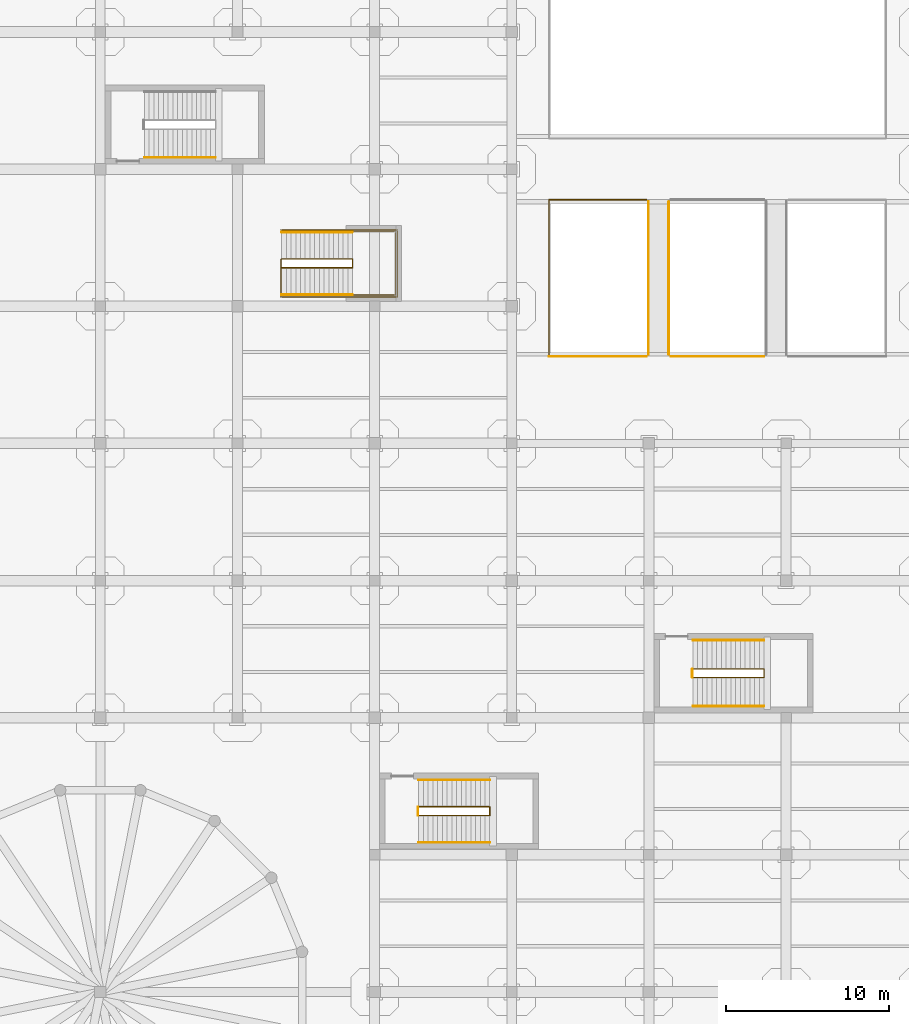
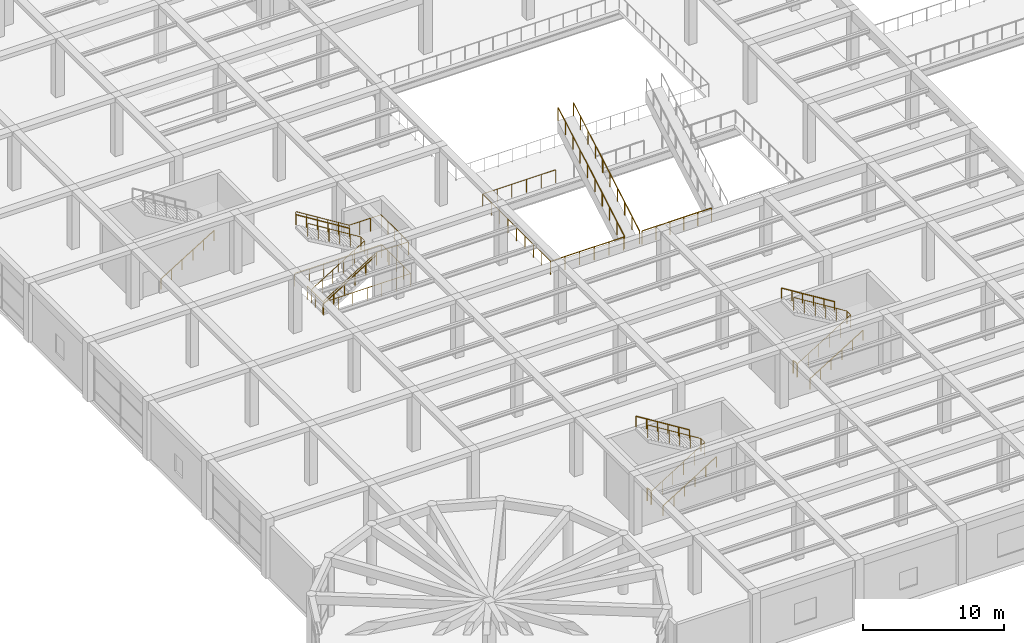
# One storey, part 85 of 96: 19 railings.
"""IFC4 building model written with IfcOpenShell, lengths in metres."""

from ifc_helpers import new_model, si_unit, direction, frame, origin, origin_2d, place, context, subcontext, project, spatial, circle, extrude, material, type_object, element, save


model = new_model("IFC4")

# Units and contexts
model_context = context("Model", 3, precision=1e-05, world=origin(), true_north=direction((0.0, 1.0)))
body_context = subcontext(model_context, "Body", "Model", "MODEL_VIEW")
ifc_project = project(units=[si_unit("LENGTHUNIT", "METRE"), si_unit("AREAUNIT", "SQUARE_METRE"), si_unit("VOLUMEUNIT", "CUBIC_METRE"), si_unit("PLANEANGLEUNIT", "RADIAN"), si_unit("MASSUNIT", "GRAM", prefix="KILO")], contexts=[model_context])

# Site, building, storey
site_placement = place(None, origin())
site = spatial("IfcSite", under=ifc_project, at=site_placement, CompositionType="ELEMENT")
building_placement = place(site_placement, origin())
building = spatial("IfcBuilding", under=site, at=building_placement, Name="Almacenes y Pasaje Nevantli", CompositionType="ELEMENT")
storey_placement = place(building_placement, frame((0.0, 0.0, 6.0)))
storey = spatial("IfcBuildingStorey", under=building, at=storey_placement, Name="L02", CompositionType="ELEMENT", Elevation=6.0)

# Railings
ifc_material_1 = material(Name="Brushed Stainless Steel and Tempered Safety Glass", Category="steel")
railing_type_1 = type_object("IfcRailingType", Name="RL-GUARD-1100", PredefinedType="BALUSTRADE", material=ifc_material_1)
railing_1_placement = place(storey_placement, frame((27.89990234375, 19.2099609375, 0.0)))
element("IfcRailing", 1, at=railing_1_placement, inside=storey, type_object=railing_type_1, Name="L02 Stair ST-04 Inner Well Guard Balustrade", PredefinedType="BALUSTRADE", context=body_context, shape_type="SweptSolid", body=[
    extrude(circle(Radius=0.02392578125, at=origin_2d()), frame((0.025390625, 0.0, 1.1416015625), z_axis=(0.849649743971, 0.0, 0.527347430608), x_axis=(0.0, 1.0, 0.0)), (0.0, 0.0, 1.0), 5.059814453125),
    extrude(circle(Radius=0.02392578125, at=origin_2d()), frame((4.35009765625, 0.030029296875, 3.82568359375), z_axis=(0.0, 1.0, 0.0), x_axis=(-1.0, 0.0, 0.0)), (0.0, 0.0, 1.0), 0.469970703125),
    extrude(circle(Radius=0.02392578125, at=origin_2d()), frame((4.32470703125, 0.530029296875, 3.841552734375), z_axis=(-0.849649743971, 0.0, 0.527347430608), x_axis=(0.0, -1.0, 0.0)), (0.0, 0.0, 1.0), 5.059814453125),
    extrude(circle(Radius=0.02099609375, at=origin_2d()), origin(), (0.0, 0.0, 1.0), 1.096923828125),
    extrude(circle(Radius=0.02099609375, at=origin_2d()), frame((0.8701171875, 0.0, 0.5400390625)), (0.0, 0.0, 1.0), 1.096923828125),
    extrude(circle(Radius=0.02099609375, at=origin_2d()), frame((1.739990234375, 0.0, 1.080078125)), (0.0, 0.0, 1.0), 1.096923828125),
    extrude(circle(Radius=0.02099609375, at=origin_2d()), frame((2.610107421875, 0.0, 1.619873046875)), (0.0, 0.0, 1.0), 1.096923828125),
    extrude(circle(Radius=0.02099609375, at=origin_2d()), frame((3.47998046875, 0.0, 2.159912109375)), (0.0, 0.0, 1.0), 1.096923828125),
    extrude(circle(Radius=0.02099609375, at=origin_2d()), frame((4.35009765625, 0.0, 2.699951171875)), (0.0, 0.0, 1.0), 1.096923828125),
    extrude(circle(Radius=0.02099609375, at=origin_2d()), frame((4.35009765625, 0.530029296875, 2.699951171875)), (0.0, 0.0, 1.0), 1.096923828125),
    extrude(circle(Radius=0.02099609375, at=origin_2d()), frame((3.47998046875, 0.530029296875, 3.239990234375)), (0.0, 0.0, 1.0), 1.096923828125),
    extrude(circle(Radius=0.02099609375, at=origin_2d()), frame((2.610107421875, 0.530029296875, 3.780029296875)), (0.0, 0.0, 1.0), 1.096923828125),
    extrude(circle(Radius=0.02099609375, at=origin_2d()), frame((1.739990234375, 0.530029296875, 4.31982421875)), (0.0, 0.0, 1.0), 1.096923828125),
    extrude(circle(Radius=0.02099609375, at=origin_2d()), frame((0.8701171875, 0.530029296875, 4.85986328125)), (0.0, 0.0, 1.0), 1.096923828125),
    extrude(circle(Radius=0.02099609375, at=origin_2d()), frame((0.0, 0.530029296875, 5.39990234375)), (0.0, 0.0, 1.0), 1.096923828125),
])
railing_2_placement = place(storey_placement, frame((27.860107421875, 19.2099609375, 0.0)))
element("IfcRailing", 2, at=railing_2_placement, inside=storey, type_object=railing_type_1, Name="L02 Stair ST-04 Landing Well Slot Guard", PredefinedType="BALUSTRADE", context=body_context, shape_type="SweptSolid", body=[
    extrude(circle(Radius=0.02392578125, at=origin_2d()), frame((0.0, 0.030029296875, 1.1259765625), z_axis=(0.0, 1.0, 0.0), x_axis=(-1.0, 0.0, 0.0)), (0.0, 0.0, 1.0), 0.469970703125),
    extrude(circle(Radius=0.02099609375, at=origin_2d()), origin(), (0.0, 0.0, 1.0), 1.096923828125),
    extrude(circle(Radius=0.02099609375, at=origin_2d()), frame((0.0, 0.530029296875, 0.0)), (0.0, 0.0, 1.0), 1.096923828125),
])
railing_3_placement = place(storey_placement, frame((44.699951171875, 27.659912109375, 0.0)))
element("IfcRailing", 3, at=railing_3_placement, inside=storey, type_object=railing_type_1, Name="L02 Stair ST-14 Inner Well Guard Balustrade", PredefinedType="BALUSTRADE", context=body_context, shape_type="SweptSolid", body=[
    extrude(circle(Radius=0.02392578125, at=origin_2d()), frame((0.025390625, 0.0, 1.1416015625), z_axis=(0.849649743971, 0.0, 0.527347430608), x_axis=(0.0, 1.0, 0.0)), (0.0, 0.0, 1.0), 5.059814453125),
    extrude(circle(Radius=0.02392578125, at=origin_2d()), frame((4.35009765625, 0.030029296875, 3.82568359375), z_axis=(0.0, 1.0, 0.0), x_axis=(-1.0, 0.0, 0.0)), (0.0, 0.0, 1.0), 0.469970703125),
    extrude(circle(Radius=0.02392578125, at=origin_2d()), frame((4.32470703125, 0.530029296875, 3.841552734375), z_axis=(-0.849649743971, 0.0, 0.527347430608), x_axis=(0.0, -1.0, 0.0)), (0.0, 0.0, 1.0), 5.059814453125),
    extrude(circle(Radius=0.02099609375, at=origin_2d()), origin(), (0.0, 0.0, 1.0), 1.096923828125),
    extrude(circle(Radius=0.02099609375, at=origin_2d()), frame((0.8701171875, 0.0, 0.5400390625)), (0.0, 0.0, 1.0), 1.096923828125),
    extrude(circle(Radius=0.02099609375, at=origin_2d()), frame((1.739990234375, 0.0, 1.080078125)), (0.0, 0.0, 1.0), 1.096923828125),
    extrude(circle(Radius=0.02099609375, at=origin_2d()), frame((2.610107421875, 0.0, 1.619873046875)), (0.0, 0.0, 1.0), 1.096923828125),
    extrude(circle(Radius=0.02099609375, at=origin_2d()), frame((3.47998046875, 0.0, 2.159912109375)), (0.0, 0.0, 1.0), 1.096923828125),
    extrude(circle(Radius=0.02099609375, at=origin_2d()), frame((4.35009765625, 0.0, 2.699951171875)), (0.0, 0.0, 1.0), 1.096923828125),
    extrude(circle(Radius=0.02099609375, at=origin_2d()), frame((4.35009765625, 0.530029296875, 2.699951171875)), (0.0, 0.0, 1.0), 1.096923828125),
    extrude(circle(Radius=0.02099609375, at=origin_2d()), frame((3.47998046875, 0.530029296875, 3.239990234375)), (0.0, 0.0, 1.0), 1.096923828125),
    extrude(circle(Radius=0.02099609375, at=origin_2d()), frame((2.610107421875, 0.530029296875, 3.780029296875)), (0.0, 0.0, 1.0), 1.096923828125),
    extrude(circle(Radius=0.02099609375, at=origin_2d()), frame((1.739990234375, 0.530029296875, 4.31982421875)), (0.0, 0.0, 1.0), 1.096923828125),
    extrude(circle(Radius=0.02099609375, at=origin_2d()), frame((0.8701171875, 0.530029296875, 4.85986328125)), (0.0, 0.0, 1.0), 1.096923828125),
    extrude(circle(Radius=0.02099609375, at=origin_2d()), frame((0.0, 0.530029296875, 5.39990234375)), (0.0, 0.0, 1.0), 1.096923828125),
])
railing_4_placement = place(storey_placement, frame((44.659912109375, 27.659912109375, 0.0)))
element("IfcRailing", 4, at=railing_4_placement, inside=storey, type_object=railing_type_1, Name="L02 Stair ST-14 Landing Well Slot Guard", PredefinedType="BALUSTRADE", context=body_context, shape_type="SweptSolid", body=[
    extrude(circle(Radius=0.02392578125, at=origin_2d()), frame((0.0, 0.030029296875, 1.1259765625), z_axis=(0.0, 1.0, 0.0), x_axis=(-1.0, 0.0, 0.0)), (0.0, 0.0, 1.0), 0.469970703125),
    extrude(circle(Radius=0.02099609375, at=origin_2d()), origin(), (0.0, 0.0, 1.0), 1.096923828125),
    extrude(circle(Radius=0.02099609375, at=origin_2d()), frame((0.0, 0.530029296875, 0.0)), (0.0, 0.0, 1.0), 1.096923828125),
])
railing_5_placement = place(storey_placement, frame((19.4599609375, 53.2900390625, 0.0)))
element("IfcRailing", 5, at=railing_5_placement, inside=storey, type_object=railing_type_1, Name="L02 Monumental Stair ST-09 Top Floor Opening Guard", PredefinedType="BALUSTRADE", context=body_context, shape_type="SweptSolid", body=[
    extrude(circle(Radius=0.02392578125, at=origin_2d()), frame((0.0, -0.030029296875, 1.1259765625), z_axis=(0.0, -1.0, 0.0), x_axis=(1.0, 0.0, 0.0)), (0.0, 0.0, 1.0), 2.260009765625),
    extrude(circle(Radius=0.02392578125, at=origin_2d()), frame((0.030029296875, -2.320068359375, 1.1259765625), z_axis=(1.0, 0.0, 0.0), x_axis=(0.0, 1.0, 0.0)), (0.0, 0.0, 1.0), 7.06005859375),
    extrude(circle(Radius=0.02392578125, at=origin_2d()), frame((7.1201171875, -2.2900390625, 1.1259765625), z_axis=(0.0, 1.0, 0.0), x_axis=(-1.0, 0.0, 0.0)), (0.0, 0.0, 1.0), 4.050048828125),
    extrude(circle(Radius=0.02392578125, at=origin_2d()), frame((7.090087890625, 1.7900390625, 1.1259765625), z_axis=(-1.0, 0.0, 0.0), x_axis=(0.0, -1.0, 0.0)), (0.0, 0.0, 1.0), 7.06005859375),
    extrude(circle(Radius=0.02099609375, at=origin_2d()), origin(), (0.0, 0.0, 1.0), 1.096923828125),
    extrude(circle(Radius=0.02099609375, at=origin_2d()), frame((0.0, -1.16015625, 0.0)), (0.0, 0.0, 1.0), 1.096923828125),
    extrude(circle(Radius=0.02099609375, at=origin_2d()), frame((0.0, -2.320068359375, 0.0)), (0.0, 0.0, 1.0), 1.096923828125),
    extrude(circle(Radius=0.02099609375, at=origin_2d()), frame((1.186767578125, -2.320068359375, 0.0)), (0.0, 0.0, 1.0), 1.096923828125),
    extrude(circle(Radius=0.02099609375, at=origin_2d()), frame((2.373291015625, -2.320068359375, 0.0)), (0.0, 0.0, 1.0), 1.096923828125),
    extrude(circle(Radius=0.02099609375, at=origin_2d()), frame((3.56005859375, -2.320068359375, 0.0)), (0.0, 0.0, 1.0), 1.096923828125),
    extrude(circle(Radius=0.02099609375, at=origin_2d()), frame((4.746826171875, -2.320068359375, 0.0)), (0.0, 0.0, 1.0), 1.096923828125),
    extrude(circle(Radius=0.02099609375, at=origin_2d()), frame((5.933349609375, -2.320068359375, 0.0)), (0.0, 0.0, 1.0), 1.096923828125),
    extrude(circle(Radius=0.02099609375, at=origin_2d()), frame((7.1201171875, -2.320068359375, 0.0)), (0.0, 0.0, 1.0), 1.096923828125),
    extrude(circle(Radius=0.02099609375, at=origin_2d()), frame((7.1201171875, -1.29248046875, 0.0)), (0.0, 0.0, 1.0), 1.096923828125),
    extrude(circle(Radius=0.02099609375, at=origin_2d()), frame((7.1201171875, -0.26513671875, 0.0)), (0.0, 0.0, 1.0), 1.096923828125),
    extrude(circle(Radius=0.02099609375, at=origin_2d()), frame((7.1201171875, 0.762451171875, 0.0)), (0.0, 0.0, 1.0), 1.096923828125),
    extrude(circle(Radius=0.02099609375, at=origin_2d()), frame((7.1201171875, 1.7900390625, 0.0)), (0.0, 0.0, 1.0), 1.096923828125),
    extrude(circle(Radius=0.02099609375, at=origin_2d()), frame((5.933349609375, 1.7900390625, 0.0)), (0.0, 0.0, 1.0), 1.096923828125),
    extrude(circle(Radius=0.02099609375, at=origin_2d()), frame((4.746826171875, 1.7900390625, 0.0)), (0.0, 0.0, 1.0), 1.096923828125),
    extrude(circle(Radius=0.02099609375, at=origin_2d()), frame((3.56005859375, 1.7900390625, 0.0)), (0.0, 0.0, 1.0), 1.096923828125),
    extrude(circle(Radius=0.02099609375, at=origin_2d()), frame((2.373291015625, 1.7900390625, 0.0)), (0.0, 0.0, 1.0), 1.096923828125),
    extrude(circle(Radius=0.02099609375, at=origin_2d()), frame((1.186767578125, 1.7900390625, 0.0)), (0.0, 0.0, 1.0), 1.096923828125),
    extrude(circle(Radius=0.02099609375, at=origin_2d()), frame((0.0, 1.7900390625, 0.0)), (0.0, 0.0, 1.0), 1.096923828125),
])
railing_6_placement = place(storey_placement, frame((19.5, 52.760009765625, 0.0)))
element("IfcRailing", 6, at=railing_6_placement, inside=storey, type_object=railing_type_1, Name="L02 Stair ST-10 Inner Well Guard Balustrade", PredefinedType="BALUSTRADE", context=body_context, shape_type="SweptSolid", body=[
    extrude(circle(Radius=0.02392578125, at=origin_2d()), frame((0.025390625, 0.0, 1.1416015625), z_axis=(0.849649743971, 0.0, 0.527347430608), x_axis=(0.0, 1.0, 0.0)), (0.0, 0.0, 1.0), 5.059814453125),
    extrude(circle(Radius=0.02392578125, at=origin_2d()), frame((4.35009765625, 0.030029296875, 3.82568359375), z_axis=(0.0, 1.0, 0.0), x_axis=(-1.0, 0.0, 0.0)), (0.0, 0.0, 1.0), 0.469970703125),
    extrude(circle(Radius=0.02392578125, at=origin_2d()), frame((4.32470703125, 0.530029296875, 3.841552734375), z_axis=(-0.849649743971, 0.0, 0.527347430608), x_axis=(0.0, -1.0, 0.0)), (0.0, 0.0, 1.0), 5.059814453125),
    extrude(circle(Radius=0.02099609375, at=origin_2d()), origin(), (0.0, 0.0, 1.0), 1.096923828125),
    extrude(circle(Radius=0.02099609375, at=origin_2d()), frame((0.8701171875, 0.0, 0.5400390625)), (0.0, 0.0, 1.0), 1.096923828125),
    extrude(circle(Radius=0.02099609375, at=origin_2d()), frame((1.739990234375, 0.0, 1.080078125)), (0.0, 0.0, 1.0), 1.096923828125),
    extrude(circle(Radius=0.02099609375, at=origin_2d()), frame((2.610107421875, 0.0, 1.619873046875)), (0.0, 0.0, 1.0), 1.096923828125),
    extrude(circle(Radius=0.02099609375, at=origin_2d()), frame((3.47998046875, 0.0, 2.159912109375)), (0.0, 0.0, 1.0), 1.096923828125),
    extrude(circle(Radius=0.02099609375, at=origin_2d()), frame((4.35009765625, 0.0, 2.699951171875)), (0.0, 0.0, 1.0), 1.096923828125),
    extrude(circle(Radius=0.02099609375, at=origin_2d()), frame((4.35009765625, 0.530029296875, 2.699951171875)), (0.0, 0.0, 1.0), 1.096923828125),
    extrude(circle(Radius=0.02099609375, at=origin_2d()), frame((3.47998046875, 0.530029296875, 3.239990234375)), (0.0, 0.0, 1.0), 1.096923828125),
    extrude(circle(Radius=0.02099609375, at=origin_2d()), frame((2.610107421875, 0.530029296875, 3.780029296875)), (0.0, 0.0, 1.0), 1.096923828125),
    extrude(circle(Radius=0.02099609375, at=origin_2d()), frame((1.739990234375, 0.530029296875, 4.31982421875)), (0.0, 0.0, 1.0), 1.096923828125),
    extrude(circle(Radius=0.02099609375, at=origin_2d()), frame((0.8701171875, 0.530029296875, 4.85986328125)), (0.0, 0.0, 1.0), 1.096923828125),
    extrude(circle(Radius=0.02099609375, at=origin_2d()), frame((0.0, 0.530029296875, 5.39990234375)), (0.0, 0.0, 1.0), 1.096923828125),
])
railing_7_placement = place(storey_placement, frame((19.5, 51.090087890625, 0.0)))
element("IfcRailing", 7, at=railing_7_placement, inside=storey, type_object=railing_type_1, Name="L02 Monumental Stair ST-10 Outer Balustrade", PredefinedType="BALUSTRADE", context=body_context, shape_type="SweptSolid", body=[
    extrude(circle(Radius=0.02392578125, at=origin_2d()), frame((0.025390625, 0.0, 1.1416015625), z_axis=(0.849649743971, 0.0, 0.527347430608), x_axis=(0.0, 1.0, 0.0)), (0.0, 0.0, 1.0), 5.059814453125),
    extrude(circle(Radius=0.02392578125, at=origin_2d()), frame((4.380126953125, 0.0, 3.82568359375), z_axis=(1.0, 0.0, 0.0), x_axis=(0.0, 1.0, 0.0)), (0.0, 0.0, 1.0), 2.5498046875),
    extrude(circle(Radius=0.02392578125, at=origin_2d()), frame((6.9599609375, 0.030029296875, 3.82568359375), z_axis=(0.0, 1.0, 0.0), x_axis=(-1.0, 0.0, 0.0)), (0.0, 0.0, 1.0), 3.809814453125),
    extrude(circle(Radius=0.02392578125, at=origin_2d()), frame((6.929931640625, 3.869873046875, 3.82568359375), z_axis=(-1.0, 0.0, 0.0), x_axis=(0.0, -1.0, 0.0)), (0.0, 0.0, 1.0), 2.5498046875),
    extrude(circle(Radius=0.02392578125, at=origin_2d()), frame((4.32470703125, 3.869873046875, 3.841552734375), z_axis=(-0.849649743971, 0.0, 0.527347430608), x_axis=(0.0, -1.0, 0.0)), (0.0, 0.0, 1.0), 5.059814453125),
    extrude(circle(Radius=0.02099609375, at=origin_2d()), origin(), (0.0, 0.0, 1.0), 1.096923828125),
    extrude(circle(Radius=0.02099609375, at=origin_2d()), frame((0.8701171875, 0.0, 0.5400390625)), (0.0, 0.0, 1.0), 1.096923828125),
    extrude(circle(Radius=0.02099609375, at=origin_2d()), frame((1.739990234375, 0.0, 1.080078125)), (0.0, 0.0, 1.0), 1.096923828125),
    extrude(circle(Radius=0.02099609375, at=origin_2d()), frame((2.610107421875, 0.0, 1.619873046875)), (0.0, 0.0, 1.0), 1.096923828125),
    extrude(circle(Radius=0.02099609375, at=origin_2d()), frame((3.47998046875, 0.0, 2.159912109375)), (0.0, 0.0, 1.0), 1.096923828125),
    extrude(circle(Radius=0.02099609375, at=origin_2d()), frame((4.35009765625, 0.0, 2.699951171875)), (0.0, 0.0, 1.0), 1.096923828125),
    extrude(circle(Radius=0.02099609375, at=origin_2d()), frame((5.219970703125, 0.0, 2.699951171875)), (0.0, 0.0, 1.0), 1.096923828125),
    extrude(circle(Radius=0.02099609375, at=origin_2d()), frame((6.090087890625, 0.0, 2.699951171875)), (0.0, 0.0, 1.0), 1.096923828125),
    extrude(circle(Radius=0.02099609375, at=origin_2d()), frame((6.9599609375, 0.0, 2.699951171875)), (0.0, 0.0, 1.0), 1.096923828125),
    extrude(circle(Radius=0.02099609375, at=origin_2d()), frame((6.9599609375, 0.967529296875, 2.699951171875)), (0.0, 0.0, 1.0), 1.096923828125),
    extrude(circle(Radius=0.02099609375, at=origin_2d()), frame((6.9599609375, 1.93505859375, 2.699951171875)), (0.0, 0.0, 1.0), 1.096923828125),
    extrude(circle(Radius=0.02099609375, at=origin_2d()), frame((6.9599609375, 2.90234375, 2.699951171875)), (0.0, 0.0, 1.0), 1.096923828125),
    extrude(circle(Radius=0.02099609375, at=origin_2d()), frame((6.9599609375, 3.869873046875, 2.699951171875)), (0.0, 0.0, 1.0), 1.096923828125),
    extrude(circle(Radius=0.02099609375, at=origin_2d()), frame((6.090087890625, 3.869873046875, 2.699951171875)), (0.0, 0.0, 1.0), 1.096923828125),
    extrude(circle(Radius=0.02099609375, at=origin_2d()), frame((5.219970703125, 3.869873046875, 2.699951171875)), (0.0, 0.0, 1.0), 1.096923828125),
    extrude(circle(Radius=0.02099609375, at=origin_2d()), frame((4.35009765625, 3.869873046875, 2.699951171875)), (0.0, 0.0, 1.0), 1.096923828125),
    extrude(circle(Radius=0.02099609375, at=origin_2d()), frame((3.47998046875, 3.869873046875, 3.239990234375)), (0.0, 0.0, 1.0), 1.096923828125),
    extrude(circle(Radius=0.02099609375, at=origin_2d()), frame((2.610107421875, 3.869873046875, 3.780029296875)), (0.0, 0.0, 1.0), 1.096923828125),
    extrude(circle(Radius=0.02099609375, at=origin_2d()), frame((1.739990234375, 3.869873046875, 4.31982421875)), (0.0, 0.0, 1.0), 1.096923828125),
    extrude(circle(Radius=0.02099609375, at=origin_2d()), frame((0.8701171875, 3.869873046875, 4.85986328125)), (0.0, 0.0, 1.0), 1.096923828125),
    extrude(circle(Radius=0.02099609375, at=origin_2d()), frame((0.0, 3.869873046875, 5.39990234375)), (0.0, 0.0, 1.0), 1.096923828125),
])
for number, where, name in (
    (8, (41.97998046875, 47.449951171875, 0.0), "Atrium Escalator ESC-03 W Balustrade"),
    (9, (43.219970703125, 47.449951171875, 0.0), "Atrium Escalator ESC-03 E Balustrade"),
):
    element("IfcRailing", number, at=place(storey_placement, frame(where)), inside=storey, type_object=railing_type_1, Name=name, PredefinedType="BALUSTRADE", context=body_context, shape_type="SweptSolid", body=[
        extrude(circle(Radius=0.02392578125, at=origin_2d()), frame((0.0, 0.02587890625, 1.140869140625), z_axis=(0.0, 0.865960390863, 0.50011258878), x_axis=(-1.0, 0.0, 0.0)), (0.0, 0.0, 1.0), 10.7373046875),
        extrude(circle(Radius=0.02099609375, at=origin_2d()), origin(), (0.0, 0.0, 1.0), 1.096923828125),
        extrude(circle(Radius=0.02099609375, at=origin_2d()), frame((0.0, 1.038818359375, 0.60009765625)), (0.0, 0.0, 1.0), 1.096923828125),
        extrude(circle(Radius=0.02099609375, at=origin_2d()), frame((0.0, 2.077880859375, 1.199951171875)), (0.0, 0.0, 1.0), 1.096923828125),
        extrude(circle(Radius=0.02099609375, at=origin_2d()), frame((0.0, 3.11669921875, 1.800048828125)), (0.0, 0.0, 1.0), 1.096923828125),
        extrude(circle(Radius=0.02099609375, at=origin_2d()), frame((0.0, 4.155517578125, 2.39990234375)), (0.0, 0.0, 1.0), 1.096923828125),
        extrude(circle(Radius=0.02099609375, at=origin_2d()), frame((0.0, 5.194580078125, 3.0)), (0.0, 0.0, 1.0), 1.096923828125),
        extrude(circle(Radius=0.02099609375, at=origin_2d()), frame((0.0, 6.2333984375, 3.599853515625)), (0.0, 0.0, 1.0), 1.096923828125),
        extrude(circle(Radius=0.02099609375, at=origin_2d()), frame((0.0, 7.272216796875, 4.199951171875)), (0.0, 0.0, 1.0), 1.096923828125),
        extrude(circle(Radius=0.02099609375, at=origin_2d()), frame((0.0, 8.311279296875, 4.7998046875)), (0.0, 0.0, 1.0), 1.096923828125),
        extrude(circle(Radius=0.02099609375, at=origin_2d()), frame((0.0, 9.35009765625, 5.39990234375)), (0.0, 0.0, 1.0), 1.096923828125),
    ])
railing_8_placement = place(storey_placement, frame((41.85009765625, 56.919921875, 0.0)))
element("IfcRailing", 10, at=railing_8_placement, inside=storey, type_object=railing_type_1, Name="L02 South Atrium Void West Guard Balustrade", PredefinedType="BALUSTRADE", context=body_context, shape_type="SweptSolid", body=[
    extrude(circle(Radius=0.02392578125, at=origin_2d()), frame((-0.030029296875, 0.0, 1.1259765625), z_axis=(-1.0, 0.0, 0.0), x_axis=(0.0, -1.0, 0.0)), (0.0, 0.0, 1.0), 5.91015625),
    extrude(circle(Radius=0.02392578125, at=origin_2d()), frame((-5.97021484375, -0.030029296875, 1.1259765625), z_axis=(0.0, -1.0, 0.0), x_axis=(1.0, 0.0, 0.0)), (0.0, 0.0, 1.0), 9.52978515625),
    extrude(circle(Radius=0.02099609375, at=origin_2d()), origin(), (0.0, 0.0, 1.0), 1.096923828125),
    extrude(circle(Radius=0.02099609375, at=origin_2d()), frame((-1.194091796875, 0.0, 0.0)), (0.0, 0.0, 1.0), 1.096923828125),
    extrude(circle(Radius=0.02099609375, at=origin_2d()), frame((-2.38818359375, 0.0, 0.0)), (0.0, 0.0, 1.0), 1.096923828125),
    extrude(circle(Radius=0.02099609375, at=origin_2d()), frame((-3.58203125, 0.0, 0.0)), (0.0, 0.0, 1.0), 1.096923828125),
    extrude(circle(Radius=0.02099609375, at=origin_2d()), frame((-4.776123046875, 0.0, 0.0)), (0.0, 0.0, 1.0), 1.096923828125),
    extrude(circle(Radius=0.02099609375, at=origin_2d()), frame((-5.97021484375, 0.0, 0.0)), (0.0, 0.0, 1.0), 1.096923828125),
    extrude(circle(Radius=0.02099609375, at=origin_2d()), frame((-5.97021484375, -1.19873046875, 0.0)), (0.0, 0.0, 1.0), 1.096923828125),
    extrude(circle(Radius=0.02099609375, at=origin_2d()), frame((-5.97021484375, -2.3974609375, 0.0)), (0.0, 0.0, 1.0), 1.096923828125),
    extrude(circle(Radius=0.02099609375, at=origin_2d()), frame((-5.97021484375, -3.59619140625, 0.0)), (0.0, 0.0, 1.0), 1.096923828125),
    extrude(circle(Radius=0.02099609375, at=origin_2d()), frame((-5.97021484375, -4.794921875, 0.0)), (0.0, 0.0, 1.0), 1.096923828125),
    extrude(circle(Radius=0.02099609375, at=origin_2d()), frame((-5.97021484375, -5.99365234375, 0.0)), (0.0, 0.0, 1.0), 1.096923828125),
    extrude(circle(Radius=0.02099609375, at=origin_2d()), frame((-5.97021484375, -7.1923828125, 0.0)), (0.0, 0.0, 1.0), 1.096923828125),
    extrude(circle(Radius=0.02099609375, at=origin_2d()), frame((-5.97021484375, -8.39111328125, 0.0)), (0.0, 0.0, 1.0), 1.096923828125),
    extrude(circle(Radius=0.02099609375, at=origin_2d()), frame((-5.97021484375, -9.58984375, 0.0)), (0.0, 0.0, 1.0), 1.096923828125),
])
railing_9_placement = place(storey_placement, frame((35.8798828125, 47.330078125, 0.0)))
element("IfcRailing", 11, at=railing_9_placement, inside=storey, type_object=railing_type_1, Name="L02 South Atrium South-West Guard", PredefinedType="BALUSTRADE", context=body_context, shape_type="SweptSolid", body=[
    extrude(circle(Radius=0.02392578125, at=origin_2d()), frame((0.030029296875, 0.0, 1.1259765625), z_axis=(1.0, 0.0, 0.0), x_axis=(0.0, 1.0, 0.0)), (0.0, 0.0, 1.0), 5.91015625),
    extrude(circle(Radius=0.02099609375, at=origin_2d()), origin(), (0.0, 0.0, 1.0), 1.096923828125),
    extrude(circle(Radius=0.02099609375, at=origin_2d()), frame((1.194091796875, 0.0, 0.0)), (0.0, 0.0, 1.0), 1.096923828125),
    extrude(circle(Radius=0.02099609375, at=origin_2d()), frame((2.38818359375, 0.0, 0.0)), (0.0, 0.0, 1.0), 1.096923828125),
    extrude(circle(Radius=0.02099609375, at=origin_2d()), frame((3.58203125, 0.0, 0.0)), (0.0, 0.0, 1.0), 1.096923828125),
    extrude(circle(Radius=0.02099609375, at=origin_2d()), frame((4.776123046875, 0.0, 0.0)), (0.0, 0.0, 1.0), 1.096923828125),
    extrude(circle(Radius=0.02099609375, at=origin_2d()), frame((5.97021484375, 0.0, 0.0)), (0.0, 0.0, 1.0), 1.096923828125),
])
railing_10_placement = place(storey_placement, frame((43.35009765625, 47.330078125, 0.0)))
element("IfcRailing", 12, at=railing_10_placement, inside=storey, type_object=railing_type_1, Name="L02 South Atrium South-Mid Guard", PredefinedType="BALUSTRADE", context=body_context, shape_type="SweptSolid", body=[
    extrude(circle(Radius=0.02392578125, at=origin_2d()), frame((0.030029296875, 0.0, 1.1259765625), z_axis=(1.0, 0.0, 0.0), x_axis=(0.0, 1.0, 0.0)), (0.0, 0.0, 1.0), 5.639892578125),
    extrude(circle(Radius=0.02099609375, at=origin_2d()), origin(), (0.0, 0.0, 1.0), 1.096923828125),
    extrude(circle(Radius=0.02099609375, at=origin_2d()), frame((1.139892578125, 0.0, 0.0)), (0.0, 0.0, 1.0), 1.096923828125),
    extrude(circle(Radius=0.02099609375, at=origin_2d()), frame((2.280029296875, 0.0, 0.0)), (0.0, 0.0, 1.0), 1.096923828125),
    extrude(circle(Radius=0.02099609375, at=origin_2d()), frame((3.419921875, 0.0, 0.0)), (0.0, 0.0, 1.0), 1.096923828125),
    extrude(circle(Radius=0.02099609375, at=origin_2d()), frame((4.56005859375, 0.0, 0.0)), (0.0, 0.0, 1.0), 1.096923828125),
    extrude(circle(Radius=0.02099609375, at=origin_2d()), frame((5.699951171875, 0.0, 0.0)), (0.0, 0.0, 1.0), 1.096923828125),
])
ifc_material_2 = material(Name="Brushed Stainless Steel Tube", Category="steel")
railing_type_2 = type_object("IfcRailingType", Name="RL-HANDRAIL-900", PredefinedType="HANDRAIL", material=ifc_material_2)
railing_11_placement = place(storey_placement, frame((27.89990234375, 17.56005859375, 0.0)))
element("IfcRailing", 13, at=railing_11_placement, inside=storey, type_object=railing_type_2, Name="L02 Stair ST-04 Lower Flight Handrail", PredefinedType="HANDRAIL", context=body_context, shape_type="SweptSolid", body=[
    extrude(circle(Radius=0.02392578125, at=origin_2d()), frame((0.025390625, 0.0, 0.8916015625), z_axis=(0.849649743971, 0.0, 0.527347430608), x_axis=(0.0, 1.0, 0.0)), (0.0, 0.0, 1.0), 5.059814453125),
    extrude(circle(Radius=0.02099609375, at=origin_2d()), origin(), (0.0, 0.0, 1.0), 0.846923828125),
    extrude(circle(Radius=0.02099609375, at=origin_2d()), frame((0.8701171875, 0.0, 0.5400390625)), (0.0, 0.0, 1.0), 0.846923828125),
    extrude(circle(Radius=0.02099609375, at=origin_2d()), frame((1.739990234375, 0.0, 1.080078125)), (0.0, 0.0, 1.0), 0.846923828125),
    extrude(circle(Radius=0.02099609375, at=origin_2d()), frame((2.610107421875, 0.0, 1.619873046875)), (0.0, 0.0, 1.0), 0.846923828125),
    extrude(circle(Radius=0.02099609375, at=origin_2d()), frame((3.47998046875, 0.0, 2.159912109375)), (0.0, 0.0, 1.0), 0.846923828125),
    extrude(circle(Radius=0.02099609375, at=origin_2d()), frame((4.35009765625, 0.0, 2.699951171875)), (0.0, 0.0, 1.0), 0.846923828125),
])
railing_12_placement = place(storey_placement, frame((32.25, 21.389892578125, 2.699951171875)))
element("IfcRailing", 14, at=railing_12_placement, inside=storey, type_object=railing_type_2, Name="L02 Stair ST-04 Upper Flight Handrail", PredefinedType="HANDRAIL", context=body_context, shape_type="SweptSolid", body=[
    extrude(circle(Radius=0.02392578125, at=origin_2d()), frame((-0.025390625, 0.0, 0.8916015625), z_axis=(-0.849649743971, 0.0, 0.527347430608), x_axis=(0.0, -1.0, 0.0)), (0.0, 0.0, 1.0), 5.059814453125),
    extrude(circle(Radius=0.02099609375, at=origin_2d()), origin(), (0.0, 0.0, 1.0), 0.846923828125),
    extrude(circle(Radius=0.02099609375, at=origin_2d()), frame((-0.8701171875, 0.0, 0.5400390625)), (0.0, 0.0, 1.0), 0.846923828125),
    extrude(circle(Radius=0.02099609375, at=origin_2d()), frame((-1.739990234375, 0.0, 1.080078125)), (0.0, 0.0, 1.0), 0.846923828125),
    extrude(circle(Radius=0.02099609375, at=origin_2d()), frame((-2.610107421875, 0.0, 1.619873046875)), (0.0, 0.0, 1.0), 0.846923828125),
    extrude(circle(Radius=0.02099609375, at=origin_2d()), frame((-3.47998046875, 0.0, 2.159912109375)), (0.0, 0.0, 1.0), 0.846923828125),
    extrude(circle(Radius=0.02099609375, at=origin_2d()), frame((-4.35009765625, 0.0, 2.699951171875)), (0.0, 0.0, 1.0), 0.846923828125),
])
railing_13_placement = place(storey_placement, frame((11.10009765625, 59.510009765625, 0.0)))
element("IfcRailing", 15, at=railing_13_placement, inside=storey, type_object=railing_type_2, Name="L02 Stair ST-12 Lower Flight Handrail", PredefinedType="HANDRAIL", context=body_context, shape_type="SweptSolid", body=[
    extrude(circle(Radius=0.02392578125, at=origin_2d()), frame((0.025390625, 0.0, 0.8916015625), z_axis=(0.849636482215, 0.0, 0.527368797038), x_axis=(0.0, 1.0, 0.0)), (0.0, 0.0, 1.0), 5.0595703125),
    extrude(circle(Radius=0.02099609375, at=origin_2d()), origin(), (0.0, 0.0, 1.0), 0.846923828125),
    extrude(circle(Radius=0.02099609375, at=origin_2d()), frame((0.869873046875, 0.0, 0.5400390625)), (0.0, 0.0, 1.0), 0.846923828125),
    extrude(circle(Radius=0.02099609375, at=origin_2d()), frame((1.739990234375, 0.0, 1.080078125)), (0.0, 0.0, 1.0), 0.846923828125),
    extrude(circle(Radius=0.02099609375, at=origin_2d()), frame((2.60986328125, 0.0, 1.619873046875)), (0.0, 0.0, 1.0), 0.846923828125),
    extrude(circle(Radius=0.02099609375, at=origin_2d()), frame((3.47998046875, 0.0, 2.159912109375)), (0.0, 0.0, 1.0), 0.846923828125),
    extrude(circle(Radius=0.02099609375, at=origin_2d()), frame((4.349853515625, 0.0, 2.699951171875)), (0.0, 0.0, 1.0), 0.846923828125),
])
railing_14_placement = place(storey_placement, frame((44.699951171875, 25.909912109375, 0.0)))
element("IfcRailing", 16, at=railing_14_placement, inside=storey, type_object=railing_type_2, Name="L02 Stair ST-14 Lower Flight Handrail", PredefinedType="HANDRAIL", context=body_context, shape_type="SweptSolid", body=[
    extrude(circle(Radius=0.02392578125, at=origin_2d()), frame((0.025390625, 0.0, 0.8916015625), z_axis=(0.849649743971, 0.0, 0.527347430608), x_axis=(0.0, 1.0, 0.0)), (0.0, 0.0, 1.0), 5.059814453125),
    extrude(circle(Radius=0.02099609375, at=origin_2d()), origin(), (0.0, 0.0, 1.0), 0.846923828125),
    extrude(circle(Radius=0.02099609375, at=origin_2d()), frame((0.8701171875, 0.0, 0.5400390625)), (0.0, 0.0, 1.0), 0.846923828125),
    extrude(circle(Radius=0.02099609375, at=origin_2d()), frame((1.739990234375, 0.0, 1.080078125)), (0.0, 0.0, 1.0), 0.846923828125),
    extrude(circle(Radius=0.02099609375, at=origin_2d()), frame((2.610107421875, 0.0, 1.619873046875)), (0.0, 0.0, 1.0), 0.846923828125),
    extrude(circle(Radius=0.02099609375, at=origin_2d()), frame((3.47998046875, 0.0, 2.159912109375)), (0.0, 0.0, 1.0), 0.846923828125),
    extrude(circle(Radius=0.02099609375, at=origin_2d()), frame((4.35009765625, 0.0, 2.699951171875)), (0.0, 0.0, 1.0), 0.846923828125),
])
railing_15_placement = place(storey_placement, frame((49.050048828125, 29.93994140625, 2.699951171875)))
element("IfcRailing", 17, at=railing_15_placement, inside=storey, type_object=railing_type_2, Name="L02 Stair ST-14 Upper Flight Handrail", PredefinedType="HANDRAIL", context=body_context, shape_type="SweptSolid", body=[
    extrude(circle(Radius=0.02392578125, at=origin_2d()), frame((-0.025390625, 0.0, 0.8916015625), z_axis=(-0.849649743971, 0.0, 0.527347430608), x_axis=(0.0, -1.0, 0.0)), (0.0, 0.0, 1.0), 5.059814453125),
    extrude(circle(Radius=0.02099609375, at=origin_2d()), origin(), (0.0, 0.0, 1.0), 0.846923828125),
    extrude(circle(Radius=0.02099609375, at=origin_2d()), frame((-0.8701171875, 0.0, 0.5400390625)), (0.0, 0.0, 1.0), 0.846923828125),
    extrude(circle(Radius=0.02099609375, at=origin_2d()), frame((-1.739990234375, 0.0, 1.080078125)), (0.0, 0.0, 1.0), 0.846923828125),
    extrude(circle(Radius=0.02099609375, at=origin_2d()), frame((-2.610107421875, 0.0, 1.619873046875)), (0.0, 0.0, 1.0), 0.846923828125),
    extrude(circle(Radius=0.02099609375, at=origin_2d()), frame((-3.47998046875, 0.0, 2.159912109375)), (0.0, 0.0, 1.0), 0.846923828125),
    extrude(circle(Radius=0.02099609375, at=origin_2d()), frame((-4.35009765625, 0.0, 2.699951171875)), (0.0, 0.0, 1.0), 0.846923828125),
])
railing_16_placement = place(storey_placement, frame((19.5, 51.110107421875, 0.0)))
element("IfcRailing", 18, at=railing_16_placement, inside=storey, type_object=railing_type_2, Name="L02 Stair ST-10 Lower Flight Handrail", PredefinedType="HANDRAIL", context=body_context, shape_type="SweptSolid", body=[
    extrude(circle(Radius=0.02392578125, at=origin_2d()), frame((0.025390625, 0.0, 0.8916015625), z_axis=(0.849649743971, 0.0, 0.527347430608), x_axis=(0.0, 1.0, 0.0)), (0.0, 0.0, 1.0), 5.059814453125),
    extrude(circle(Radius=0.02099609375, at=origin_2d()), origin(), (0.0, 0.0, 1.0), 0.846923828125),
    extrude(circle(Radius=0.02099609375, at=origin_2d()), frame((0.8701171875, 0.0, 0.5400390625)), (0.0, 0.0, 1.0), 0.846923828125),
    extrude(circle(Radius=0.02099609375, at=origin_2d()), frame((1.739990234375, 0.0, 1.080078125)), (0.0, 0.0, 1.0), 0.846923828125),
    extrude(circle(Radius=0.02099609375, at=origin_2d()), frame((2.610107421875, 0.0, 1.619873046875)), (0.0, 0.0, 1.0), 0.846923828125),
    extrude(circle(Radius=0.02099609375, at=origin_2d()), frame((3.47998046875, 0.0, 2.159912109375)), (0.0, 0.0, 1.0), 0.846923828125),
    extrude(circle(Radius=0.02099609375, at=origin_2d()), frame((4.35009765625, 0.0, 2.699951171875)), (0.0, 0.0, 1.0), 0.846923828125),
])
railing_17_placement = place(storey_placement, frame((23.85009765625, 54.93994140625, 2.699951171875)))
element("IfcRailing", 19, at=railing_17_placement, inside=storey, type_object=railing_type_2, Name="L02 Stair ST-10 Upper Flight Handrail", PredefinedType="HANDRAIL", context=body_context, shape_type="SweptSolid", body=[
    extrude(circle(Radius=0.02392578125, at=origin_2d()), frame((-0.025390625, 0.0, 0.8916015625), z_axis=(-0.849649743971, 0.0, 0.527347430608), x_axis=(0.0, -1.0, 0.0)), (0.0, 0.0, 1.0), 5.059814453125),
    extrude(circle(Radius=0.02099609375, at=origin_2d()), origin(), (0.0, 0.0, 1.0), 0.846923828125),
    extrude(circle(Radius=0.02099609375, at=origin_2d()), frame((-0.8701171875, 0.0, 0.5400390625)), (0.0, 0.0, 1.0), 0.846923828125),
    extrude(circle(Radius=0.02099609375, at=origin_2d()), frame((-1.739990234375, 0.0, 1.080078125)), (0.0, 0.0, 1.0), 0.846923828125),
    extrude(circle(Radius=0.02099609375, at=origin_2d()), frame((-2.610107421875, 0.0, 1.619873046875)), (0.0, 0.0, 1.0), 0.846923828125),
    extrude(circle(Radius=0.02099609375, at=origin_2d()), frame((-3.47998046875, 0.0, 2.159912109375)), (0.0, 0.0, 1.0), 0.846923828125),
    extrude(circle(Radius=0.02099609375, at=origin_2d()), frame((-4.35009765625, 0.0, 2.699951171875)), (0.0, 0.0, 1.0), 0.846923828125),
])

save(model, "model.ifc")
